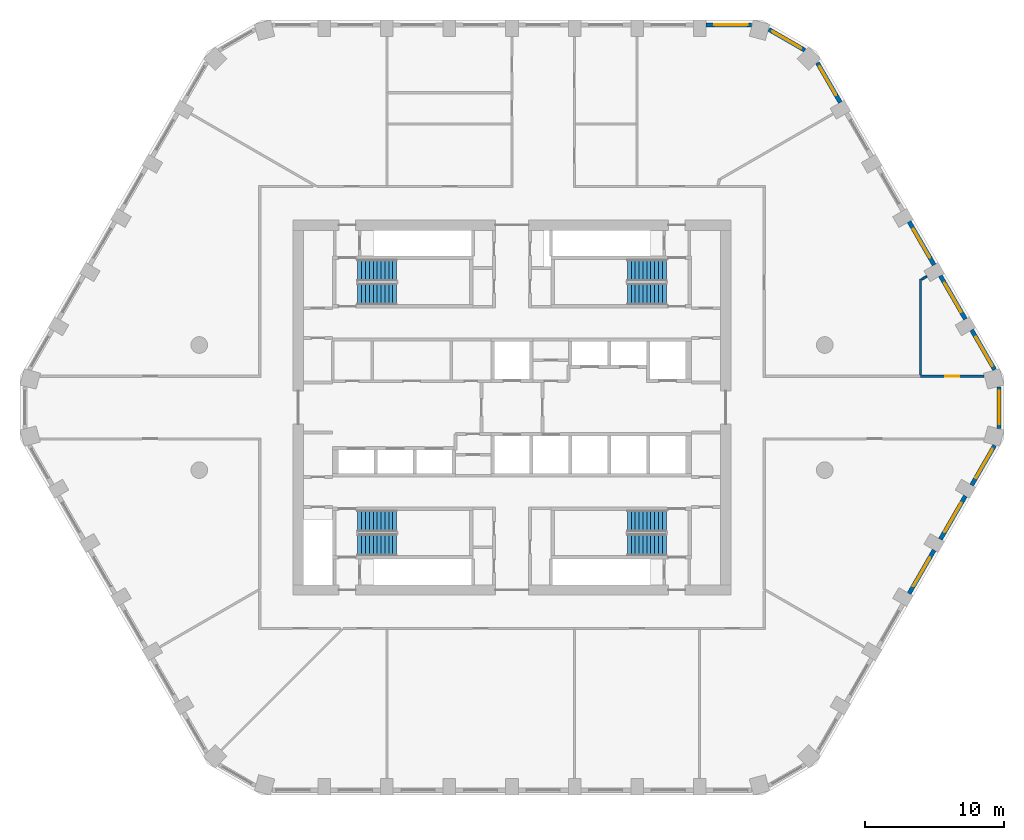
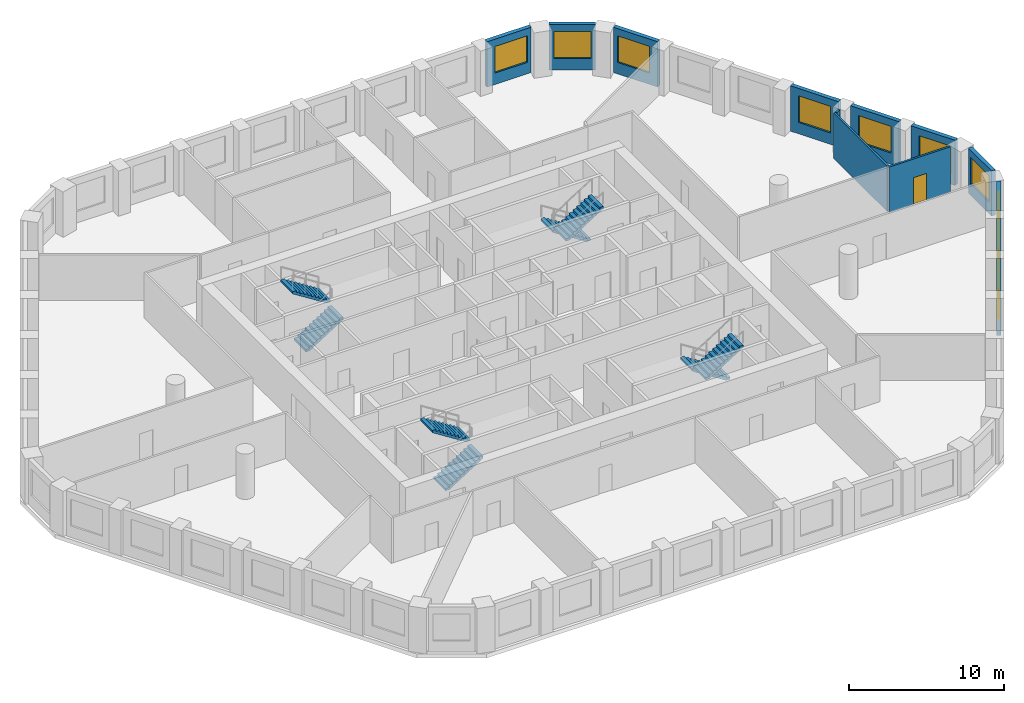
# One storey, part 8 of 9: 13 walls, 10 windows, 8 stair flights, 1 door, 11 openings, 4 elements without a shape of their own.
"""IFC4 building model written with IfcOpenShell, lengths in metres."""

from ifc_helpers import new_model, si_unit, direction, frame, frame_2d, origin, place, context, subcontext, project, spatial, polyline, rectangle, outline, extrude, material, layer, layer_set, type_object, element, fill, aggregate, save


model = new_model("IFC4")

# Units and contexts
model_context = context("Model", 3, precision=1e-05, world=origin(), true_north=direction((0.0, 1.0)))
body_context = subcontext(model_context, "Body", "Model", "MODEL_VIEW")
ifc_project = project(units=[si_unit("LENGTHUNIT", "METRE"), si_unit("AREAUNIT", "SQUARE_METRE"), si_unit("VOLUMEUNIT", "CUBIC_METRE"), si_unit("PLANEANGLEUNIT", "RADIAN"), si_unit("MASSUNIT", "GRAM", prefix="KILO")], contexts=[model_context])

# Site, building, storey
site_placement = place(None, origin())
site = spatial("IfcSite", under=ifc_project, at=site_placement, CompositionType="ELEMENT")
building_placement = place(site_placement, origin())
building = spatial("IfcBuilding", under=site, at=building_placement, Name="Dhurran Vertical Campus", CompositionType="ELEMENT")
storey_placement = place(building_placement, frame((0.0, 0.0, 159.89990234375)))
storey = spatial("IfcBuildingStorey", under=building, at=storey_placement, Name="L39", CompositionType="ELEMENT", Elevation=159.89990234375)

# Wall, opening, window
ifc_material_1 = material(Name="Precast concrete C50/60", Category="concrete")
ifc_layer_1 = layer(ifc_material_1, 0.300048828125)
ifc_layer_set_1 = layer_set([ifc_layer_1], Name="Precast concrete C50/60")
wall_type_1 = type_object("IfcWallType", Name="Precast spandrel wall 300", PredefinedType="SOLIDWALL", material=ifc_layer_set_1)
wall_1_placement = place(storey_placement, frame((28.5693359375, -13.376220703125, 0.0), z_axis=(0.0, 0.0, 1.0), x_axis=(0.500027802648, 0.866009351323, 0.0)))
wall_1 = element("IfcWall", 1, at=wall_1_placement, inside=storey, type_object=wall_type_1, Name="EW1 L39.12", PredefinedType="SOLIDWALL", context=body_context, shape_type="SweptSolid", body=[
    extrude(rectangle(XDim=3.598876953125, YDim=0.300048828125, at=frame_2d((1.79931640625, 0.0))), origin(), (0.0, 0.0, 1.0), 3.5751953125),
])
opening_1_placement = place(wall_1_placement, frame((0.599609375, 0.0, 0.89990234375)))
opening_1 = element("IfcOpeningElement", 2, at=opening_1_placement, cuts=wall_1, Name="Opening WT1", PredefinedType="OPENING", context=body_context, shape_type="SweptSolid", body=[
    extrude(rectangle(XDim=2.39990234375, YDim=2.10009765625, at=frame_2d((1.199951171875, 1.050048828125))), frame((0.0, 0.159912109375, 0.0), z_axis=(0.0, -1.0, 0.0), x_axis=(1.0, 0.0, 0.0)), (0.0, 0.0, 1.0), 0.320068359375),
])
ifc_material_2 = material(Name="Aluminium frame with solar-control glass", Category="aluminium")
window_type = type_object("IfcWindowType", Name="Punched window 2400 x 2100", PartitioningType="SINGLE_PANEL", PredefinedType="WINDOW", material=ifc_material_2)
window_1_placement = place(opening_1_placement, origin())
window_1 = element("IfcWindow", 3, at=window_1_placement, inside=storey, type_object=window_type, Name="WT1 L39.12", OverallHeight=2.10009765625, OverallWidth=2.39990234375, PartitioningType="SINGLE_PANEL", PredefinedType="WINDOW", context=body_context, shape_type="SweptSolid", body=[
    extrude(rectangle(XDim=2.39990234375, YDim=2.10009765625, at=frame_2d((1.199951171875, 1.050048828125))), frame((0.0, 0.030029296875, 0.0), z_axis=(0.0, -1.0, 0.0), x_axis=(1.0, 0.0, 0.0)), (0.0, 0.0, 1.0), 0.06005859375),
])
fill(opening_1, window_1)

wall_2_placement = place(storey_placement, frame((30.8193359375, -9.47900390625, 0.0), z_axis=(0.0, 0.0, 1.0), x_axis=(0.500027802648, 0.866009351323, 0.0)))
wall_2 = element("IfcWall", 4, at=wall_2_placement, inside=storey, type_object=wall_type_1, Name="EW1 L39.13", PredefinedType="SOLIDWALL", context=body_context, shape_type="SweptSolid", body=[
    extrude(rectangle(XDim=3.598876953125, YDim=0.300048828125, at=frame_2d((1.79931640625, 0.0))), origin(), (0.0, 0.0, 1.0), 3.5751953125),
])
opening_2_placement = place(wall_2_placement, frame((0.599609375, 0.0, 0.89990234375)))
opening_2 = element("IfcOpeningElement", 5, at=opening_2_placement, cuts=wall_2, Name="Opening WT1", PredefinedType="OPENING", context=body_context, shape_type="SweptSolid", body=[
    extrude(rectangle(XDim=2.39990234375, YDim=2.10009765625, at=frame_2d((1.199951171875, 1.050048828125))), frame((0.0, 0.159912109375, 0.0), z_axis=(0.0, -1.0, 0.0), x_axis=(1.0, 0.0, 0.0)), (0.0, 0.0, 1.0), 0.320068359375),
])
window_2_placement = place(opening_2_placement, origin())
window_2 = element("IfcWindow", 6, at=window_2_placement, inside=storey, type_object=window_type, Name="WT1 L39.13", OverallHeight=2.10009765625, OverallWidth=2.39990234375, PartitioningType="SINGLE_PANEL", PredefinedType="WINDOW", context=body_context, shape_type="SweptSolid", body=[
    extrude(rectangle(XDim=2.39990234375, YDim=2.10009765625, at=frame_2d((1.199951171875, 1.050048828125))), frame((0.0, 0.030029296875, 0.0), z_axis=(0.0, -1.0, 0.0), x_axis=(1.0, 0.0, 0.0)), (0.0, 0.0, 1.0), 0.06005859375),
])
fill(opening_2, window_2)

wall_3_placement = place(storey_placement, frame((33.0693359375, -5.58203125, 0.0), z_axis=(0.0, 0.0, 1.0), x_axis=(0.499981217486, 0.866036247602, 0.0)))
wall_3 = element("IfcWall", 7, at=wall_3_placement, inside=storey, type_object=wall_type_1, Name="EW1 L39.14", PredefinedType="SOLIDWALL", context=body_context, shape_type="SweptSolid", body=[
    extrude(rectangle(XDim=3.294189453125, YDim=0.300048828125, at=frame_2d((1.64697265625, 0.0))), origin(), (0.0, 0.0, 1.0), 3.5751953125),
])
opening_3_placement = place(wall_3_placement, frame((0.599609375, 0.0, 0.89990234375)))
opening_3 = element("IfcOpeningElement", 8, at=opening_3_placement, cuts=wall_3, Name="Opening WT1", PredefinedType="OPENING", context=body_context, shape_type="SweptSolid", body=[
    extrude(rectangle(XDim=2.39990234375, YDim=2.10009765625, at=frame_2d((1.199951171875, 1.050048828125))), frame((0.0, 0.159912109375, 0.0), z_axis=(0.0, -1.0, 0.0), x_axis=(1.0, 0.0, 0.0)), (0.0, 0.0, 1.0), 0.320068359375),
])
window_3_placement = place(opening_3_placement, origin())
window_3 = element("IfcWindow", 9, at=window_3_placement, inside=storey, type_object=window_type, Name="WT1 L39.14", OverallHeight=2.10009765625, OverallWidth=2.39990234375, PartitioningType="SINGLE_PANEL", PredefinedType="WINDOW", context=body_context, shape_type="SweptSolid", body=[
    extrude(rectangle(XDim=2.39990234375, YDim=2.10009765625, at=frame_2d((1.199951171875, 1.050048828125))), frame((0.0, 0.030029296875, 0.0), z_axis=(0.0, -1.0, 0.0), x_axis=(1.0, 0.0, 0.0)), (0.0, 0.0, 1.0), 0.06005859375),
])
fill(opening_3, window_3)

wall_4_placement = place(storey_placement, frame((35.047119140625, -1.49462890625, 0.0), z_axis=(0.0, 0.0, 1.0), x_axis=(0.0, 1.0, 0.0)))
wall_4 = element("IfcWall", 10, at=wall_4_placement, inside=storey, type_object=wall_type_1, Name="EW1 L39.15", PredefinedType="SOLIDWALL", context=body_context, shape_type="SweptSolid", body=[
    extrude(rectangle(XDim=2.9892578125, YDim=0.300048828125, at=frame_2d((1.49462890625, 0.0))), origin(), (0.0, 0.0, 1.0), 3.5751953125),
])
opening_4_placement = place(wall_4_placement, frame((0.294677734375, 0.0, 0.89990234375)))
opening_4 = element("IfcOpeningElement", 11, at=opening_4_placement, cuts=wall_4, Name="Opening WT1", PredefinedType="OPENING", context=body_context, shape_type="SweptSolid", body=[
    extrude(rectangle(XDim=2.39990234375, YDim=2.10009765625, at=frame_2d((1.199951171875, 1.050048828125))), frame((0.0, 0.159912109375, 0.0), z_axis=(0.0, -1.0, 0.0), x_axis=(1.0, 0.0, 0.0)), (0.0, 0.0, 1.0), 0.320068359375),
])
window_4_placement = place(opening_4_placement, origin())
window_4 = element("IfcWindow", 12, at=window_4_placement, inside=storey, type_object=window_type, Name="WT1 L39.15", OverallHeight=2.10009765625, OverallWidth=2.39990234375, PartitioningType="SINGLE_PANEL", PredefinedType="WINDOW", context=body_context, shape_type="SweptSolid", body=[
    extrude(rectangle(XDim=2.39990234375, YDim=2.10009765625, at=frame_2d((1.199951171875, 1.050048828125))), frame((0.0, 0.030029296875, 0.0), z_axis=(0.0, -1.0, 0.0), x_axis=(1.0, 0.0, 0.0)), (0.0, 0.0, 1.0), 0.06005859375),
])
fill(opening_4, window_4)

wall_5_placement = place(storey_placement, frame((34.71630859375, 2.729248046875, 0.0), z_axis=(0.0, 0.0, 1.0), x_axis=(-0.499981217486, 0.866036247602, 0.0)))
wall_5 = element("IfcWall", 13, at=wall_5_placement, inside=storey, type_object=wall_type_1, Name="EW1 L39.16", PredefinedType="SOLIDWALL", context=body_context, shape_type="SweptSolid", body=[
    extrude(rectangle(XDim=3.294189453125, YDim=0.300048828125, at=frame_2d((1.64697265625, 0.0))), origin(), (0.0, 0.0, 1.0), 3.5751953125),
])
opening_5_placement = place(wall_5_placement, frame((0.294677734375, 0.0, 0.89990234375)))
opening_5 = element("IfcOpeningElement", 14, at=opening_5_placement, cuts=wall_5, Name="Opening WT1", PredefinedType="OPENING", context=body_context, shape_type="SweptSolid", body=[
    extrude(rectangle(XDim=2.39990234375, YDim=2.10009765625, at=frame_2d((1.199951171875, 1.050048828125))), frame((0.0, 0.159912109375, 0.0), z_axis=(0.0, -1.0, 0.0), x_axis=(1.0, 0.0, 0.0)), (0.0, 0.0, 1.0), 0.320068359375),
])
window_5_placement = place(opening_5_placement, origin())
window_5 = element("IfcWindow", 15, at=window_5_placement, inside=storey, type_object=window_type, Name="WT1 L39.16", OverallHeight=2.10009765625, OverallWidth=2.39990234375, PartitioningType="SINGLE_PANEL", PredefinedType="WINDOW", context=body_context, shape_type="SweptSolid", body=[
    extrude(rectangle(XDim=2.39990234375, YDim=2.10009765625, at=frame_2d((1.199951171875, 1.050048828125))), frame((0.0, 0.030029296875, 0.0), z_axis=(0.0, -1.0, 0.0), x_axis=(1.0, 0.0, 0.0)), (0.0, 0.0, 1.0), 0.06005859375),
])
fill(opening_5, window_5)

wall_6_placement = place(storey_placement, frame((32.618896484375, 6.3623046875, 0.0), z_axis=(0.0, 0.0, 1.0), x_axis=(-0.500027802648, 0.866009351323, 0.0)))
wall_6 = element("IfcWall", 16, at=wall_6_placement, inside=storey, type_object=wall_type_1, Name="EW1 L39.17", PredefinedType="SOLIDWALL", context=body_context, shape_type="SweptSolid", body=[
    extrude(rectangle(XDim=3.598876953125, YDim=0.300048828125, at=frame_2d((1.79931640625, 0.0))), origin(), (0.0, 0.0, 1.0), 3.5751953125),
])
opening_6_placement = place(wall_6_placement, frame((0.599609375, 0.0, 0.89990234375)))
opening_6 = element("IfcOpeningElement", 17, at=opening_6_placement, cuts=wall_6, Name="Opening WT1", PredefinedType="OPENING", context=body_context, shape_type="SweptSolid", body=[
    extrude(rectangle(XDim=2.39990234375, YDim=2.10009765625, at=frame_2d((1.199951171875, 1.050048828125))), frame((0.0, 0.159912109375, 0.0), z_axis=(0.0, -1.0, 0.0), x_axis=(1.0, 0.0, 0.0)), (0.0, 0.0, 1.0), 0.320068359375),
])
window_6_placement = place(opening_6_placement, origin())
window_6 = element("IfcWindow", 18, at=window_6_placement, inside=storey, type_object=window_type, Name="WT1 L39.17", OverallHeight=2.10009765625, OverallWidth=2.39990234375, PartitioningType="SINGLE_PANEL", PredefinedType="WINDOW", context=body_context, shape_type="SweptSolid", body=[
    extrude(rectangle(XDim=2.39990234375, YDim=2.10009765625, at=frame_2d((1.199951171875, 1.050048828125))), frame((0.0, 0.030029296875, 0.0), z_axis=(0.0, -1.0, 0.0), x_axis=(1.0, 0.0, 0.0)), (0.0, 0.0, 1.0), 0.06005859375),
])
fill(opening_6, window_6)

wall_7_placement = place(storey_placement, frame((30.368896484375, 10.259521484375, 0.0), z_axis=(0.0, 0.0, 1.0), x_axis=(-0.500027802648, 0.866009351323, 0.0)))
wall_7 = element("IfcWall", 19, at=wall_7_placement, inside=storey, type_object=wall_type_1, Name="EW1 L39.18", PredefinedType="SOLIDWALL", context=body_context, shape_type="SweptSolid", body=[
    extrude(rectangle(XDim=3.598876953125, YDim=0.300048828125, at=frame_2d((1.79931640625, 0.0))), origin(), (0.0, 0.0, 1.0), 3.5751953125),
])
opening_7_placement = place(wall_7_placement, frame((0.599609375, 0.0, 0.89990234375)))
opening_7 = element("IfcOpeningElement", 20, at=opening_7_placement, cuts=wall_7, Name="Opening WT1", PredefinedType="OPENING", context=body_context, shape_type="SweptSolid", body=[
    extrude(rectangle(XDim=2.39990234375, YDim=2.10009765625, at=frame_2d((1.199951171875, 1.050048828125))), frame((0.0, 0.159912109375, 0.0), z_axis=(0.0, -1.0, 0.0), x_axis=(1.0, 0.0, 0.0)), (0.0, 0.0, 1.0), 0.320068359375),
])
window_7_placement = place(opening_7_placement, origin())
window_7 = element("IfcWindow", 21, at=window_7_placement, inside=storey, type_object=window_type, Name="WT1 L39.18", OverallHeight=2.10009765625, OverallWidth=2.39990234375, PartitioningType="SINGLE_PANEL", PredefinedType="WINDOW", context=body_context, shape_type="SweptSolid", body=[
    extrude(rectangle(XDim=2.39990234375, YDim=2.10009765625, at=frame_2d((1.199951171875, 1.050048828125))), frame((0.0, 0.030029296875, 0.0), z_axis=(0.0, -1.0, 0.0), x_axis=(1.0, 0.0, 0.0)), (0.0, 0.0, 1.0), 0.06005859375),
])
fill(opening_7, window_7)

wall_8_placement = place(storey_placement, frame((23.618896484375, 21.95068359375, 0.0), z_axis=(0.0, 0.0, 1.0), x_axis=(-0.500036802197, 0.866004154983, 0.0)))
wall_8 = element("IfcWall", 22, at=wall_8_placement, inside=storey, type_object=wall_type_1, Name="EW1 L39.21", PredefinedType="SOLIDWALL", context=body_context, shape_type="SweptSolid", body=[
    extrude(rectangle(XDim=3.294189453125, YDim=0.300048828125, at=frame_2d((1.64697265625, 0.0))), origin(), (0.0, 0.0, 1.0), 3.5751953125),
])
opening_8_placement = place(wall_8_placement, frame((0.599609375, 0.0, 0.89990234375)))
opening_8 = element("IfcOpeningElement", 23, at=opening_8_placement, cuts=wall_8, Name="Opening WT1", PredefinedType="OPENING", context=body_context, shape_type="SweptSolid", body=[
    extrude(rectangle(XDim=2.39990234375, YDim=2.10009765625, at=frame_2d((1.199951171875, 1.050048828125))), frame((0.0, 0.159912109375, 0.0), z_axis=(0.0, -1.0, 0.0), x_axis=(1.0, 0.0, 0.0)), (0.0, 0.0, 1.0), 0.320068359375),
])
window_8_placement = place(opening_8_placement, origin())
window_8 = element("IfcWindow", 24, at=window_8_placement, inside=storey, type_object=window_type, Name="WT1 L39.21", OverallHeight=2.10009765625, OverallWidth=2.39990234375, PartitioningType="SINGLE_PANEL", PredefinedType="WINDOW", context=body_context, shape_type="SweptSolid", body=[
    extrude(rectangle(XDim=2.39990234375, YDim=2.10009765625, at=frame_2d((1.199951171875, 1.050048828125))), frame((0.0, 0.030029296875, 0.0), z_axis=(0.0, -1.0, 0.0), x_axis=(1.0, 0.0, 0.0)), (0.0, 0.0, 1.0), 0.06005859375),
])
fill(opening_8, window_8)

wall_9_placement = place(storey_placement, frame((21.06787109375, 25.707275390625, 0.0), z_axis=(0.0, 0.0, 1.0), x_axis=(-0.866012844897, 0.500021752, 0.0)))
wall_9 = element("IfcWall", 25, at=wall_9_placement, inside=storey, type_object=wall_type_1, Name="EW1 L39.22", PredefinedType="SOLIDWALL", context=body_context, shape_type="SweptSolid", body=[
    extrude(rectangle(XDim=2.989013671875, YDim=0.300048828125, at=frame_2d((1.49462890625, 0.0))), origin(), (0.0, 0.0, 1.0), 3.5751953125),
])
opening_9_placement = place(wall_9_placement, frame((0.294677734375, 0.0, 0.89990234375)))
opening_9 = element("IfcOpeningElement", 26, at=opening_9_placement, cuts=wall_9, Name="Opening WT1", PredefinedType="OPENING", context=body_context, shape_type="SweptSolid", body=[
    extrude(rectangle(XDim=2.39990234375, YDim=2.10009765625, at=frame_2d((1.199951171875, 1.050048828125))), frame((0.0, 0.159912109375, 0.0), z_axis=(0.0, -1.0, 0.0), x_axis=(1.0, 0.0, 0.0)), (0.0, 0.0, 1.0), 0.320068359375),
])
window_9_placement = place(opening_9_placement, origin())
window_9 = element("IfcWindow", 27, at=window_9_placement, inside=storey, type_object=window_type, Name="WT1 L39.22", OverallHeight=2.10009765625, OverallWidth=2.39990234375, PartitioningType="SINGLE_PANEL", PredefinedType="WINDOW", context=body_context, shape_type="SweptSolid", body=[
    extrude(rectangle(XDim=2.39990234375, YDim=2.10009765625, at=frame_2d((1.199951171875, 1.050048828125))), frame((0.0, 0.030029296875, 0.0), z_axis=(0.0, -1.0, 0.0), x_axis=(1.0, 0.0, 0.0)), (0.0, 0.0, 1.0), 0.06005859375),
])
fill(opening_9, window_9)

wall_10_placement = place(storey_placement, frame((17.24462890625, 27.53271484375, 0.0), z_axis=(0.0, 0.0, 1.0), x_axis=(-1.0, 0.0, 0.0)))
wall_10 = element("IfcWall", 28, at=wall_10_placement, inside=storey, type_object=wall_type_1, Name="EW1 L39.23", PredefinedType="SOLIDWALL", context=body_context, shape_type="SweptSolid", body=[
    extrude(rectangle(XDim=3.294189453125, YDim=0.300048828125, at=frame_2d((1.64697265625, 0.0))), origin(), (0.0, 0.0, 1.0), 3.5751953125),
])
opening_10_placement = place(wall_10_placement, frame((0.294677734375, 0.0, 0.89990234375)))
opening_10 = element("IfcOpeningElement", 29, at=opening_10_placement, cuts=wall_10, Name="Opening WT1", PredefinedType="OPENING", context=body_context, shape_type="SweptSolid", body=[
    extrude(rectangle(XDim=2.39990234375, YDim=2.10009765625, at=frame_2d((1.199951171875, 1.050048828125))), frame((0.0, 0.159912109375, 0.0), z_axis=(0.0, -1.0, 0.0), x_axis=(1.0, 0.0, 0.0)), (0.0, 0.0, 1.0), 0.320068359375),
])
window_10_placement = place(opening_10_placement, origin())
window_10 = element("IfcWindow", 30, at=window_10_placement, inside=storey, type_object=window_type, Name="WT1 L39.23", OverallHeight=2.10009765625, OverallWidth=2.39990234375, PartitioningType="SINGLE_PANEL", PredefinedType="WINDOW", context=body_context, shape_type="SweptSolid", body=[
    extrude(rectangle(XDim=2.39990234375, YDim=2.10009765625, at=frame_2d((1.199951171875, 1.050048828125))), frame((0.0, 0.030029296875, 0.0), z_axis=(0.0, -1.0, 0.0), x_axis=(1.0, 0.0, 0.0)), (0.0, 0.0, 1.0), 0.06005859375),
])
fill(opening_10, window_10)

# Wall, opening, door
ifc_material_3 = material(Name="Gypsum board corridor wall on steel studs", Category="steel")
ifc_layer_2 = layer(ifc_material_3, 0.14990234375)
ifc_layer_set_2 = layer_set([ifc_layer_2], Name="Gypsum board corridor wall on steel studs")
wall_type_2 = type_object("IfcWallType", Name="fl-CW-150 corridor wall", PredefinedType="PARTITIONING", material=ifc_layer_set_2)
wall_11_placement = place(storey_placement, frame((29.39990234375, 2.25, 0.0), z_axis=(0.0, 0.0, 1.0), x_axis=(1.0, 0.0, 0.0)))
wall_11 = element("IfcWall", 31, at=wall_11_placement, inside=storey, type_object=wall_type_2, Name="Partition 39-45", PredefinedType="PARTITIONING", context=body_context, shape_type="SweptSolid", body=[
    extrude(rectangle(XDim=4.56787109375, YDim=0.14990234375, at=frame_2d((2.283935546875, 0.0))), origin(), (0.0, 0.0, 1.0), 3.5751953125),
])
opening_11_placement = place(wall_11_placement, frame((1.783935546875, 0.0, 0.0)))
opening_11 = element("IfcOpeningElement", 32, at=opening_11_placement, cuts=wall_11, Name="Opening T11.17", PredefinedType="OPENING", context=body_context, shape_type="SweptSolid", body=[
    extrude(rectangle(XDim=1.0, YDim=2.10009765625, at=frame_2d((0.5, 1.050048828125))), frame((0.0, 0.0849609375, 0.0), z_axis=(0.0, -1.0, 0.0), x_axis=(1.0, 0.0, 0.0)), (0.0, 0.0, 1.0), 0.169921875),
])
ifc_material_4 = material(Name="Solid-core timber door set, fire-rated", Category="wood")
door_type = type_object("IfcDoorType", Name="fl-D-1000x2100", OperationType="SINGLE_SWING_LEFT", PredefinedType="DOOR", material=ifc_material_4)
door_placement = place(opening_11_placement, origin())
door = element("IfcDoor", 33, at=door_placement, inside=storey, type_object=door_type, Name="Door 39.17", OperationType="SINGLE_SWING_LEFT", OverallHeight=2.10009765625, OverallWidth=1.0, PredefinedType="DOOR", context=body_context, shape_type="SweptSolid", body=[
    extrude(rectangle(XDim=1.0, YDim=2.10009765625, at=frame_2d((0.5, 1.050048828125))), frame((0.0, 0.02490234375, 0.0), z_axis=(0.0, -1.0, 0.0), x_axis=(1.0, 0.0, 0.0)), (0.0, 0.0, 1.0), 0.050048828125),
])
fill(opening_11, door)

# Walls
ifc_material_5 = material(Name="Folding acoustic partition panels")
ifc_layer_3 = layer(ifc_material_5, 0.14990234375)
ifc_layer_set_3 = layer_set([ifc_layer_3], Name="Folding acoustic partition panels")
wall_type_3 = type_object("IfcWallType", Name="fl-MW-150 movable partition", PredefinedType="MOVABLE", material=ifc_layer_set_3)
wall_12_placement = place(storey_placement, frame((29.39990234375, 9.2548828125, 0.0), z_axis=(0.0, 0.0, 1.0), x_axis=(0.0, -1.0, 0.0)))
element("IfcWall", 34, at=wall_12_placement, inside=storey, type_object=wall_type_3, Name="Partition 39-44", PredefinedType="MOVABLE", context=body_context, shape_type="SweptSolid", body=[
    extrude(rectangle(XDim=6.929931640625, YDim=0.14990234375, at=frame_2d((3.46484375, 0.0))), origin(), (0.0, 0.0, 1.0), 3.5751953125),
])
wall_13_placement = place(storey_placement, frame((29.840576171875, 9.434326171875, 0.0), z_axis=(0.0, 0.0, 1.0), x_axis=(-0.865916841101, -0.500187988959, 0.0)))
element("IfcWall", 35, at=wall_13_placement, inside=storey, type_object=wall_type_3, Name="Partition 39-46", PredefinedType="MOVABLE", context=body_context, shape_type="SweptSolid", body=[
    extrude(rectangle(XDim=0.408447265625, YDim=0.14990234375, at=frame_2d((0.2041015625, 0.0))), origin(), (0.0, 0.0, 1.0), 3.5751953125),
])

# Stair, stair flights
ifc_material_6 = material(Name="Concrete C40/50", Category="concrete")
stair_type = type_object("IfcStairType", Name="co-ST-CORE", PredefinedType="HALF_TURN_STAIR", material=ifc_material_6)
stair_1_placement = place(storey_placement, origin())
stair_1 = element("IfcStair", 36, at=stair_1_placement, inside=storey, type_object=stair_type, Name="L39 Protected exit stair ST1", PredefinedType="HALF_TURN_STAIR")
ifc_material_7 = material(Name="Concrete C40/50", Category="concrete")
stair_flight_type = type_object("IfcStairFlightType", Name="co-SFL-RC", PredefinedType="STRAIGHT", material=ifc_material_7)
stair_flight_1_placement = place(storey_placement, frame((-11.10009765625, 8.175048828125, 0.0), z_axis=(0.0, 0.0, 1.0), x_axis=(1.0, 0.0, 0.0)))
stair_flight_1 = element("IfcStairFlight", 37, at=stair_flight_1_placement, type_object=stair_flight_type, Name="ST1 flight 1", NumberOfRisers=11, NumberOfTreads=10, PredefinedType="STRAIGHT", RiserHeight=0.177272727, TreadLength=0.28, context=body_context, shape_type="SweptSolid", body=[
    extrude(outline(polyline([(0.0, 0.0), (0.0, 0.17724609375), (0.280029296875, 0.17724609375), (0.280029296875, 0.3544921875), (0.56005859375, 0.3544921875), (0.56005859375, 0.53173828125), (0.840087890625, 0.53173828125), (0.840087890625, 0.708984375), (1.1201171875, 0.708984375), (1.1201171875, 0.886474609375), (1.39990234375, 0.886474609375), (1.39990234375, 1.063720703125), (1.679931640625, 1.063720703125), (1.679931640625, 1.240966796875), (1.9599609375, 1.240966796875), (1.9599609375, 1.418212890625), (2.239990234375, 1.418212890625), (2.239990234375, 1.595458984375), (2.52001953125, 1.595458984375), (2.52001953125, 1.772705078125), (2.800048828125, 1.772705078125), (2.800048828125, 1.949951171875), (2.800048828125, 1.59521484375), (0.2802734375, 0.0), (0.0, 0.0)])), frame((0.0, 0.77490234375, 0.0), z_axis=(0.0, -1.0, 0.0), x_axis=(1.0, 0.0, 0.0)), (0.0, 0.0, 1.0), 1.550048828125),
])
stair_flight_2_placement = place(storey_placement, frame((-8.300048828125, 9.875, 1.9501953125), z_axis=(0.0, 0.0, 1.0), x_axis=(-1.0, 0.0, 0.0)))
stair_flight_2 = element("IfcStairFlight", 38, at=stair_flight_2_placement, type_object=stair_flight_type, Name="ST1 flight 2", NumberOfRisers=11, NumberOfTreads=10, PredefinedType="STRAIGHT", RiserHeight=0.177272727, TreadLength=0.28, context=body_context, shape_type="SweptSolid", body=[
    extrude(outline(polyline([(0.0, 0.0), (0.0, 0.17724609375), (0.280029296875, 0.17724609375), (0.280029296875, 0.3544921875), (0.56005859375, 0.3544921875), (0.56005859375, 0.53173828125), (0.840087890625, 0.53173828125), (0.840087890625, 0.708984375), (1.1201171875, 0.708984375), (1.1201171875, 0.886474609375), (1.39990234375, 0.886474609375), (1.39990234375, 1.063720703125), (1.679931640625, 1.063720703125), (1.679931640625, 1.240966796875), (1.9599609375, 1.240966796875), (1.9599609375, 1.418212890625), (2.239990234375, 1.418212890625), (2.239990234375, 1.595458984375), (2.52001953125, 1.595458984375), (2.52001953125, 1.772705078125), (2.800048828125, 1.772705078125), (2.800048828125, 1.949951171875), (2.800048828125, 1.59521484375), (0.2802734375, 0.0), (0.0, 0.0)])), frame((0.0, 0.77490234375, 0.0), z_axis=(0.0, -1.0, 0.0), x_axis=(1.0, 0.0, 0.0)), (0.0, 0.0, 1.0), 1.550048828125),
])
aggregate(stair_1, [stair_flight_1, stair_flight_2])

stair_2_placement = place(storey_placement, origin())
stair_2 = element("IfcStair", 39, at=stair_2_placement, inside=storey, type_object=stair_type, Name="L39 Protected exit stair ST2", PredefinedType="HALF_TURN_STAIR")
stair_flight_3_placement = place(storey_placement, frame((11.10009765625, 9.875, 0.0), z_axis=(0.0, 0.0, 1.0), x_axis=(-1.0, 0.0, 0.0)))
stair_flight_3 = element("IfcStairFlight", 40, at=stair_flight_3_placement, type_object=stair_flight_type, Name="ST2 flight 1", NumberOfRisers=11, NumberOfTreads=10, PredefinedType="STRAIGHT", RiserHeight=0.177272727, TreadLength=0.28, context=body_context, shape_type="SweptSolid", body=[
    extrude(outline(polyline([(0.0, 0.0), (0.0, 0.17724609375), (0.280029296875, 0.17724609375), (0.280029296875, 0.3544921875), (0.56005859375, 0.3544921875), (0.56005859375, 0.53173828125), (0.840087890625, 0.53173828125), (0.840087890625, 0.708984375), (1.1201171875, 0.708984375), (1.1201171875, 0.886474609375), (1.39990234375, 0.886474609375), (1.39990234375, 1.063720703125), (1.679931640625, 1.063720703125), (1.679931640625, 1.240966796875), (1.9599609375, 1.240966796875), (1.9599609375, 1.418212890625), (2.239990234375, 1.418212890625), (2.239990234375, 1.595458984375), (2.52001953125, 1.595458984375), (2.52001953125, 1.772705078125), (2.800048828125, 1.772705078125), (2.800048828125, 1.949951171875), (2.800048828125, 1.59521484375), (0.2802734375, 0.0), (0.0, 0.0)])), frame((0.0, 0.77490234375, 0.0), z_axis=(0.0, -1.0, 0.0), x_axis=(1.0, 0.0, 0.0)), (0.0, 0.0, 1.0), 1.550048828125),
])
stair_flight_4_placement = place(storey_placement, frame((8.300048828125, 8.175048828125, 1.9501953125), z_axis=(0.0, 0.0, 1.0), x_axis=(1.0, 0.0, 0.0)))
stair_flight_4 = element("IfcStairFlight", 41, at=stair_flight_4_placement, type_object=stair_flight_type, Name="ST2 flight 2", NumberOfRisers=11, NumberOfTreads=10, PredefinedType="STRAIGHT", RiserHeight=0.177272727, TreadLength=0.28, context=body_context, shape_type="SweptSolid", body=[
    extrude(outline(polyline([(0.0, 0.0), (0.0, 0.17724609375), (0.280029296875, 0.17724609375), (0.280029296875, 0.3544921875), (0.56005859375, 0.3544921875), (0.56005859375, 0.53173828125), (0.840087890625, 0.53173828125), (0.840087890625, 0.708984375), (1.1201171875, 0.708984375), (1.1201171875, 0.886474609375), (1.39990234375, 0.886474609375), (1.39990234375, 1.063720703125), (1.679931640625, 1.063720703125), (1.679931640625, 1.240966796875), (1.9599609375, 1.240966796875), (1.9599609375, 1.418212890625), (2.239990234375, 1.418212890625), (2.239990234375, 1.595458984375), (2.52001953125, 1.595458984375), (2.52001953125, 1.772705078125), (2.800048828125, 1.772705078125), (2.800048828125, 1.949951171875), (2.800048828125, 1.59521484375), (0.2802734375, 0.0), (0.0, 0.0)])), frame((0.0, 0.77490234375, 0.0), z_axis=(0.0, -1.0, 0.0), x_axis=(1.0, 0.0, 0.0)), (0.0, 0.0, 1.0), 1.550048828125),
])
aggregate(stair_2, [stair_flight_3, stair_flight_4])

stair_3_placement = place(storey_placement, origin())
stair_3 = element("IfcStair", 42, at=stair_3_placement, inside=storey, type_object=stair_type, Name="L39 Protected exit stair ST3", PredefinedType="HALF_TURN_STAIR")
stair_flight_5_placement = place(storey_placement, frame((-11.10009765625, -9.875, 0.0), z_axis=(0.0, 0.0, 1.0), x_axis=(1.0, 0.0, 0.0)))
stair_flight_5 = element("IfcStairFlight", 43, at=stair_flight_5_placement, type_object=stair_flight_type, Name="ST3 flight 1", NumberOfRisers=11, NumberOfTreads=10, PredefinedType="STRAIGHT", RiserHeight=0.177272727, TreadLength=0.28, context=body_context, shape_type="SweptSolid", body=[
    extrude(outline(polyline([(0.0, 0.0), (0.0, 0.17724609375), (0.280029296875, 0.17724609375), (0.280029296875, 0.3544921875), (0.56005859375, 0.3544921875), (0.56005859375, 0.53173828125), (0.840087890625, 0.53173828125), (0.840087890625, 0.708984375), (1.1201171875, 0.708984375), (1.1201171875, 0.886474609375), (1.39990234375, 0.886474609375), (1.39990234375, 1.063720703125), (1.679931640625, 1.063720703125), (1.679931640625, 1.240966796875), (1.9599609375, 1.240966796875), (1.9599609375, 1.418212890625), (2.239990234375, 1.418212890625), (2.239990234375, 1.595458984375), (2.52001953125, 1.595458984375), (2.52001953125, 1.772705078125), (2.800048828125, 1.772705078125), (2.800048828125, 1.949951171875), (2.800048828125, 1.59521484375), (0.2802734375, 0.0), (0.0, 0.0)])), frame((0.0, 0.77490234375, 0.0), z_axis=(0.0, -1.0, 0.0), x_axis=(1.0, 0.0, 0.0)), (0.0, 0.0, 1.0), 1.550048828125),
])
stair_flight_6_placement = place(storey_placement, frame((-8.300048828125, -8.175048828125, 1.9501953125), z_axis=(0.0, 0.0, 1.0), x_axis=(-1.0, 0.0, 0.0)))
stair_flight_6 = element("IfcStairFlight", 44, at=stair_flight_6_placement, type_object=stair_flight_type, Name="ST3 flight 2", NumberOfRisers=11, NumberOfTreads=10, PredefinedType="STRAIGHT", RiserHeight=0.177272727, TreadLength=0.28, context=body_context, shape_type="SweptSolid", body=[
    extrude(outline(polyline([(0.0, 0.0), (0.0, 0.17724609375), (0.280029296875, 0.17724609375), (0.280029296875, 0.3544921875), (0.56005859375, 0.3544921875), (0.56005859375, 0.53173828125), (0.840087890625, 0.53173828125), (0.840087890625, 0.708984375), (1.1201171875, 0.708984375), (1.1201171875, 0.886474609375), (1.39990234375, 0.886474609375), (1.39990234375, 1.063720703125), (1.679931640625, 1.063720703125), (1.679931640625, 1.240966796875), (1.9599609375, 1.240966796875), (1.9599609375, 1.418212890625), (2.239990234375, 1.418212890625), (2.239990234375, 1.595458984375), (2.52001953125, 1.595458984375), (2.52001953125, 1.772705078125), (2.800048828125, 1.772705078125), (2.800048828125, 1.949951171875), (2.800048828125, 1.59521484375), (0.2802734375, 0.0), (0.0, 0.0)])), frame((0.0, 0.77490234375, 0.0), z_axis=(0.0, -1.0, 0.0), x_axis=(1.0, 0.0, 0.0)), (0.0, 0.0, 1.0), 1.550048828125),
])
aggregate(stair_3, [stair_flight_5, stair_flight_6])

stair_4_placement = place(storey_placement, origin())
stair_4 = element("IfcStair", 45, at=stair_4_placement, inside=storey, type_object=stair_type, Name="L39 Protected exit stair ST4", PredefinedType="HALF_TURN_STAIR")
stair_flight_7_placement = place(storey_placement, frame((11.10009765625, -8.175048828125, 0.0), z_axis=(0.0, 0.0, 1.0), x_axis=(-1.0, 0.0, 0.0)))
stair_flight_7 = element("IfcStairFlight", 46, at=stair_flight_7_placement, type_object=stair_flight_type, Name="ST4 flight 1", NumberOfRisers=11, NumberOfTreads=10, PredefinedType="STRAIGHT", RiserHeight=0.177272727, TreadLength=0.28, context=body_context, shape_type="SweptSolid", body=[
    extrude(outline(polyline([(0.0, 0.0), (0.0, 0.17724609375), (0.280029296875, 0.17724609375), (0.280029296875, 0.3544921875), (0.56005859375, 0.3544921875), (0.56005859375, 0.53173828125), (0.840087890625, 0.53173828125), (0.840087890625, 0.708984375), (1.1201171875, 0.708984375), (1.1201171875, 0.886474609375), (1.39990234375, 0.886474609375), (1.39990234375, 1.063720703125), (1.679931640625, 1.063720703125), (1.679931640625, 1.240966796875), (1.9599609375, 1.240966796875), (1.9599609375, 1.418212890625), (2.239990234375, 1.418212890625), (2.239990234375, 1.595458984375), (2.52001953125, 1.595458984375), (2.52001953125, 1.772705078125), (2.800048828125, 1.772705078125), (2.800048828125, 1.949951171875), (2.800048828125, 1.59521484375), (0.2802734375, 0.0), (0.0, 0.0)])), frame((0.0, 0.77490234375, 0.0), z_axis=(0.0, -1.0, 0.0), x_axis=(1.0, 0.0, 0.0)), (0.0, 0.0, 1.0), 1.550048828125),
])
stair_flight_8_placement = place(storey_placement, frame((8.300048828125, -9.875, 1.9501953125), z_axis=(0.0, 0.0, 1.0), x_axis=(1.0, 0.0, 0.0)))
stair_flight_8 = element("IfcStairFlight", 47, at=stair_flight_8_placement, type_object=stair_flight_type, Name="ST4 flight 2", NumberOfRisers=11, NumberOfTreads=10, PredefinedType="STRAIGHT", RiserHeight=0.177272727, TreadLength=0.28, context=body_context, shape_type="SweptSolid", body=[
    extrude(outline(polyline([(0.0, 0.0), (0.0, 0.17724609375), (0.280029296875, 0.17724609375), (0.280029296875, 0.3544921875), (0.56005859375, 0.3544921875), (0.56005859375, 0.53173828125), (0.840087890625, 0.53173828125), (0.840087890625, 0.708984375), (1.1201171875, 0.708984375), (1.1201171875, 0.886474609375), (1.39990234375, 0.886474609375), (1.39990234375, 1.063720703125), (1.679931640625, 1.063720703125), (1.679931640625, 1.240966796875), (1.9599609375, 1.240966796875), (1.9599609375, 1.418212890625), (2.239990234375, 1.418212890625), (2.239990234375, 1.595458984375), (2.52001953125, 1.595458984375), (2.52001953125, 1.772705078125), (2.800048828125, 1.772705078125), (2.800048828125, 1.949951171875), (2.800048828125, 1.59521484375), (0.2802734375, 0.0), (0.0, 0.0)])), frame((0.0, 0.77490234375, 0.0), z_axis=(0.0, -1.0, 0.0), x_axis=(1.0, 0.0, 0.0)), (0.0, 0.0, 1.0), 1.550048828125),
])
aggregate(stair_4, [stair_flight_7, stair_flight_8])

save(model, "model.ifc")
